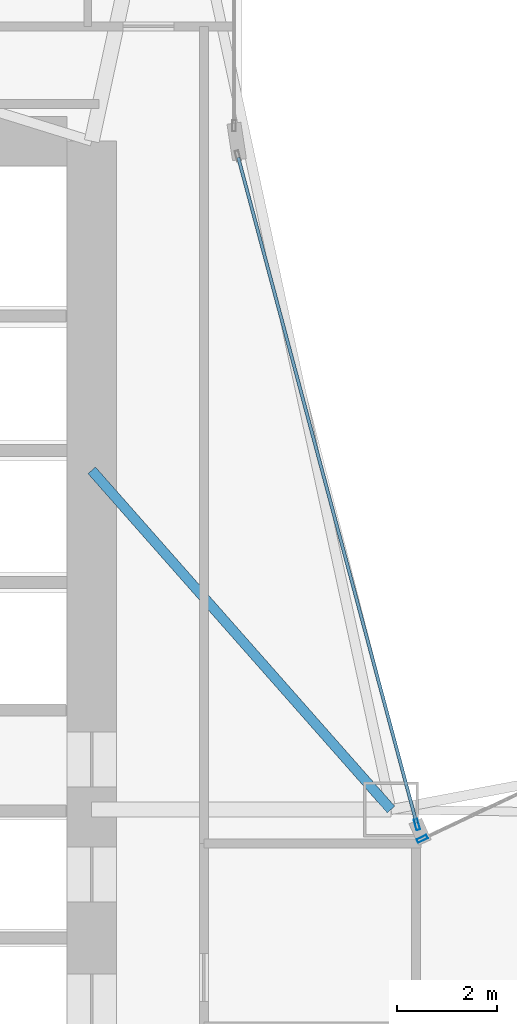
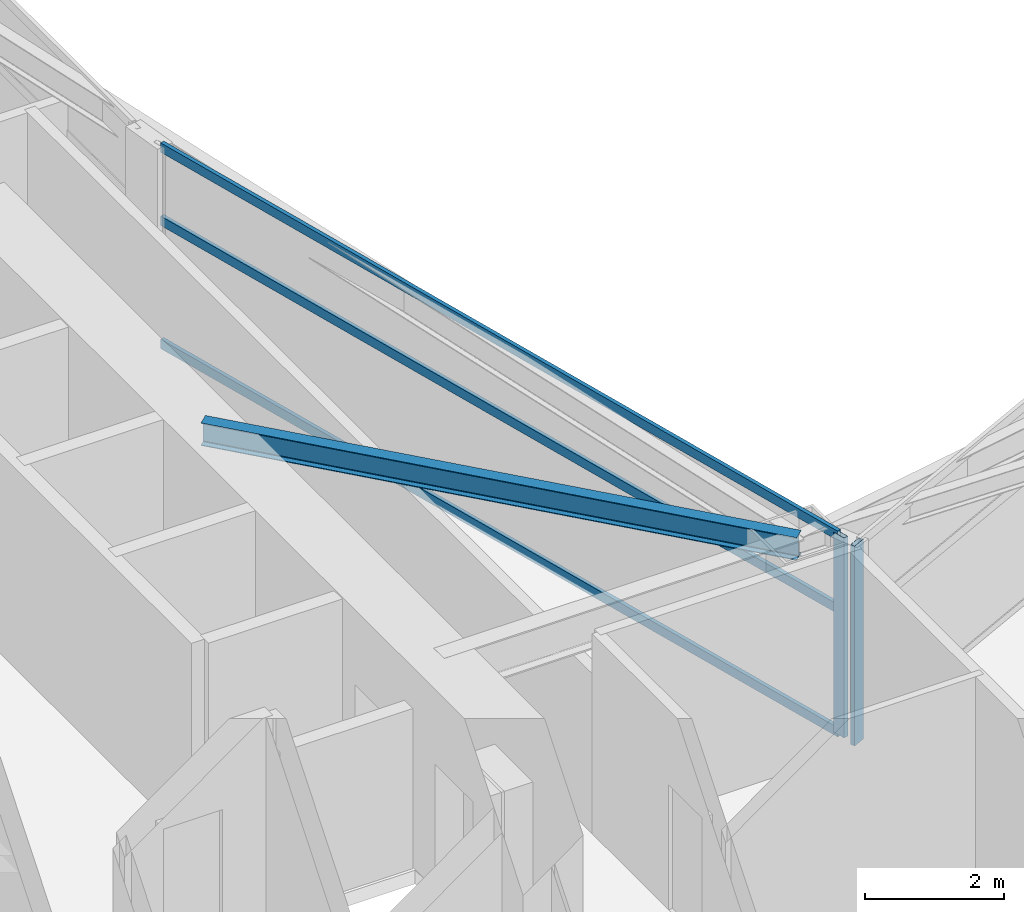
# One storey, part 9 of 28: 5 members, 1 beam, 2 elements without a shape of their own.
"""IFC4 building model written with IfcOpenShell, lengths in metres."""

from ifc_helpers import new_model, si_unit, direction, frame, origin, origin_2d, place, context, subcontext, project, spatial, hollow_rectangle, i_section, extrude, material, layer, layer_set, material_profile, profile_set, type_object, element, aggregate, save


model = new_model("IFC4")

# Units and contexts
model_context = context("Model", 3, precision=1e-05, world=origin(), true_north=direction((0.0, 1.0)))
body_context = subcontext(model_context, "Body", "Model", "MODEL_VIEW")
ifc_project = project(units=[si_unit("LENGTHUNIT", "METRE"), si_unit("AREAUNIT", "SQUARE_METRE"), si_unit("VOLUMEUNIT", "CUBIC_METRE"), si_unit("PLANEANGLEUNIT", "RADIAN"), si_unit("MASSUNIT", "GRAM", prefix="KILO")], contexts=[model_context])

# Site, building, storey
site_placement = place(None, origin())
site = spatial("IfcSite", under=ifc_project, at=site_placement, CompositionType="ELEMENT")
building_placement = place(site_placement, origin())
building = spatial("IfcBuilding", under=site, at=building_placement, Name="Calvorn Quay Hotel", CompositionType="ELEMENT")
storey_placement = place(building_placement, frame((0.0, 0.0, 42.199951171875)))
storey = spatial("IfcBuildingStorey", under=building, at=storey_placement, Name="L09", CompositionType="ELEMENT", Elevation=42.199951171875)

# Beam
ifc_material_1 = material(Name="Steel Q355B", Category="steel")
ifc_material_profile_1 = material_profile(ifc_material_1, i_section(OverallWidth=0.199951171875, OverallDepth=0.39990234375, WebThickness=0.008056640625, FlangeThickness=0.012939453125, FilletRadius=0.01611328125, at=origin_2d()), Name="HN400x200x8x13")
ifc_profile_set_1 = profile_set([ifc_material_profile_1], Name="Steel Q355B")
beam_type = type_object("IfcBeamType", Name="BM-JOIST-TYP", PredefinedType="JOIST", material=ifc_profile_set_1)
beam_placement = place(storey_placement, frame((15.0, 31.800048828125, 3.320068359375), z_axis=(0.661618965899, -0.749840212287, 0.0), x_axis=(0.749840212287, 0.661618965899, 0.0)))
element("IfcBeam", 1, at=beam_placement, inside=storey, type_object=beam_type, Name="Beam BJ-L09-C1", PredefinedType="JOIST", context=body_context, shape_type="SweptSolid", body=[
    extrude(i_section(OverallWidth=0.199951171875, OverallDepth=0.39990234375, WebThickness=0.008056640625, FlangeThickness=0.012939453125, FilletRadius=0.01611328125, at=origin_2d()), origin(), (0.0, 0.0, 1.0), 9.068603515625),
])

# Curtain wall, member
ifc_material_2 = material(Name="Pale Anodised Aluminium and Low-E Glass", Category="aluminium")
ifc_layer = layer(ifc_material_2, 0.219970703125)
ifc_layer_set = layer_set([ifc_layer], Name="CW-SYS-Z1")
curtain_wall_type = type_object("IfcCurtainWallType", Name="CW-SYS-Z1", PredefinedType="NOTDEFINED", material=ifc_layer_set)
curtain_wall_1_placement = place(storey_placement, origin())
curtain_wall_1 = element("IfcCurtainWall", 2, at=curtain_wall_1_placement, inside=storey, type_object=curtain_wall_type, Name="Inner Court Curtain Wall L09-NE1", PredefinedType="NOTDEFINED")
ifc_material_3 = material(Name="Pale Anodised Aluminium 6063-T6", Category="aluminium")
ifc_material_profile_2 = material_profile(ifc_material_3, hollow_rectangle(XDim=0.074951171875, YDim=0.219970703125, WallThickness=0.00439453125, at=origin_2d()), Name="ALU-M220x75x4.5")
ifc_profile_set_2 = profile_set([ifc_material_profile_2], Name="Pale Anodised Aluminium 6063-T6")
member_type_1 = type_object("IfcMemberType", Name="CW-SYS-Z1-MUL", PredefinedType="MULLION", material=ifc_profile_set_2)
member_1_placement = place(storey_placement, frame((21.627197265625, 24.412841796875, 0.0), z_axis=(0.0, 0.0, 1.0), x_axis=(0.427006305415, -0.904248646743, 0.0)))
member_1 = element("IfcMember", 3, at=member_1_placement, type_object=member_type_1, Name="CW-L09-NE1 mullion 4", PredefinedType="MULLION", context=body_context, shape_type="SweptSolid", body=[
    extrude(hollow_rectangle(XDim=0.074951171875, YDim=0.219970703125, WallThickness=0.00439453125, at=origin_2d()), origin(), (0.0, 0.0, 1.0), 3.52001953125),
])
aggregate(curtain_wall_1, [member_1])

# Curtain wall, members
curtain_wall_2_placement = place(storey_placement, origin())
curtain_wall_2 = element("IfcCurtainWall", 4, at=curtain_wall_2_placement, inside=storey, type_object=curtain_wall_type, Name="Inner Court Curtain Wall L09-IC1", PredefinedType="NOTDEFINED")
member_2_placement = place(storey_placement, frame((21.520263671875, 24.698974609375, 0.0), z_axis=(0.0, 0.0, 1.0), x_axis=(-0.96593652056, -0.25877913024, 0.0)))
member_2 = element("IfcMember", 5, at=member_2_placement, type_object=member_type_1, Name="CW-L09-IC1 mullion 1", PredefinedType="MULLION", context=body_context, shape_type="SweptSolid", body=[
    extrude(hollow_rectangle(XDim=0.074951171875, YDim=0.219970703125, WallThickness=0.00439453125, at=origin_2d()), origin(), (0.0, 0.0, 1.0), 3.52001953125),
])
ifc_material_4 = material(Name="Pale Anodised Aluminium 6063-T6", Category="aluminium")
ifc_material_profile_3 = material_profile(ifc_material_4, hollow_rectangle(XDim=0.06494140625, YDim=0.1650390625, WallThickness=0.00341796875, at=origin_2d()), Name="ALU-T165x65x3.5")
ifc_profile_set_3 = profile_set([ifc_material_profile_3], Name="Pale Anodised Aluminium 6063-T6")
member_type_2 = type_object("IfcMemberType", Name="CW-SYS-Z1-TRN", PredefinedType="USERDEFINED", material=ifc_profile_set_3)
member_3_placement = place(storey_placement, frame((21.512451171875, 24.72802734375, 0.030029296875), z_axis=(-0.258781136883, 0.965935982969, 0.0), x_axis=(-0.965935982969, -0.258781136883, 0.0)))
member_3 = element("IfcMember", 6, at=member_3_placement, type_object=member_type_2, Name="CW-L09-IC1 transom 1.1", ObjectType="TRANSOM", PredefinedType="USERDEFINED", context=body_context, shape_type="SweptSolid", body=[
    extrude(hollow_rectangle(XDim=0.06494140625, YDim=0.1650390625, WallThickness=0.00341796875, at=origin_2d()), origin(), (0.0, 0.0, 1.0), 13.814453125),
])
member_4_placement = place(storey_placement, frame((21.512451171875, 24.72802734375, 2.199951171875), z_axis=(-0.258781136883, 0.965935982969, 0.0), x_axis=(-0.965935982969, -0.258781136883, 0.0)))
member_4 = element("IfcMember", 7, at=member_4_placement, type_object=member_type_2, Name="CW-L09-IC1 transom 1.2", ObjectType="TRANSOM", PredefinedType="USERDEFINED", context=body_context, shape_type="SweptSolid", body=[
    extrude(hollow_rectangle(XDim=0.06494140625, YDim=0.1650390625, WallThickness=0.00341796875, at=origin_2d()), origin(), (0.0, 0.0, 1.0), 13.814453125),
])
member_5_placement = place(storey_placement, frame((21.512451171875, 24.72802734375, 3.489990234375), z_axis=(-0.258781136883, 0.965935982969, 0.0), x_axis=(-0.965935982969, -0.258781136883, 0.0)))
member_5 = element("IfcMember", 8, at=member_5_placement, type_object=member_type_2, Name="CW-L09-IC1 transom 1.3", ObjectType="TRANSOM", PredefinedType="USERDEFINED", context=body_context, shape_type="SweptSolid", body=[
    extrude(hollow_rectangle(XDim=0.06494140625, YDim=0.1650390625, WallThickness=0.00341796875, at=origin_2d()), origin(), (0.0, 0.0, 1.0), 13.814453125),
])
aggregate(curtain_wall_2, [member_2, member_3, member_4, member_5])

save(model, "model.ifc")
